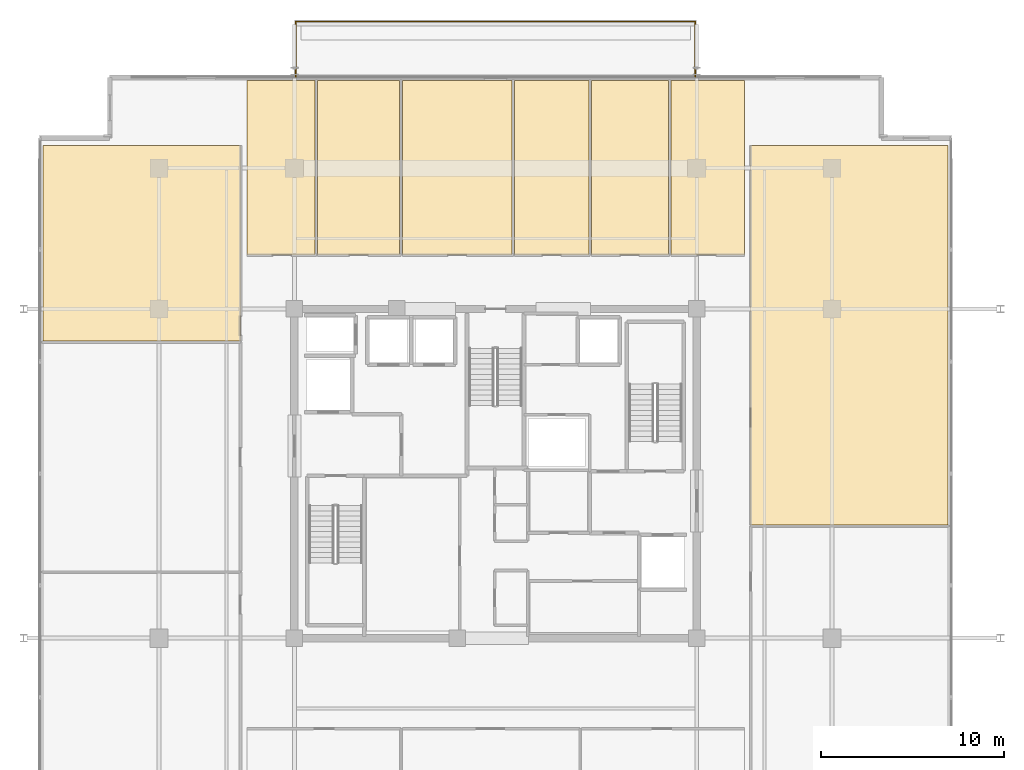
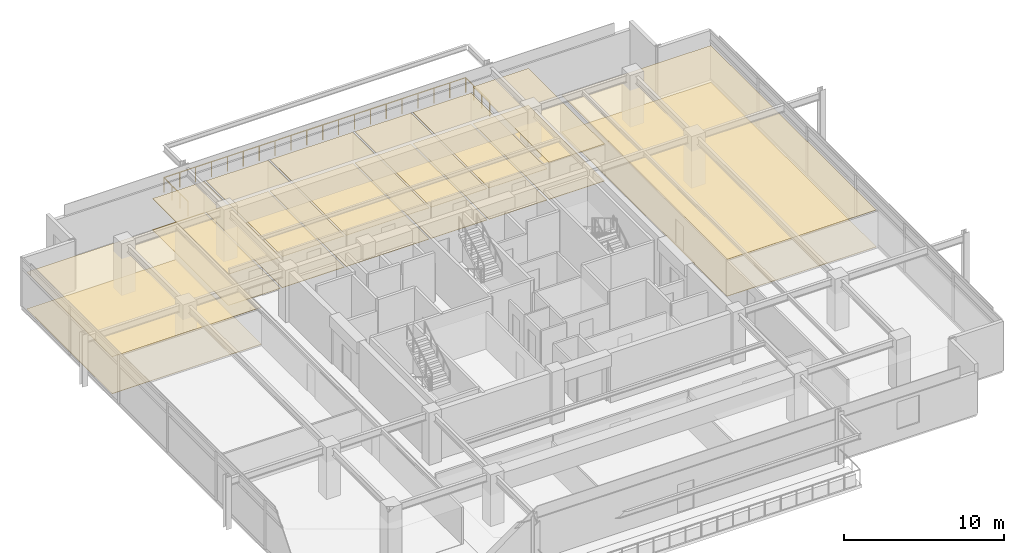
# One storey, part 20 of 20: 16 coverings, 1 railing.
"""IFC4 building model written with IfcOpenShell, lengths in metres."""

from ifc_helpers import new_model, si_unit, direction, frame, origin, origin_2d, place, context, subcontext, project, spatial, polyline, circle, outline, extrude, material, layer, layer_set, type_object, element, save


model = new_model("IFC4")

# Units and contexts
model_context = context("Model", 3, precision=1e-05, world=origin(), true_north=direction((0.0, 1.0)))
body_context = subcontext(model_context, "Body", "Model", "MODEL_VIEW")
ifc_project = project(units=[si_unit("LENGTHUNIT", "METRE"), si_unit("AREAUNIT", "SQUARE_METRE"), si_unit("VOLUMEUNIT", "CUBIC_METRE"), si_unit("PLANEANGLEUNIT", "RADIAN"), si_unit("MASSUNIT", "GRAM", prefix="KILO")], contexts=[model_context])

# Site, building, storey
site_placement = place(None, origin())
site = spatial("IfcSite", under=ifc_project, at=site_placement, CompositionType="ELEMENT")
building_placement = place(site_placement, origin())
building = spatial("IfcBuilding", under=site, at=building_placement, Name="Kovane Verandah Tower", CompositionType="ELEMENT")
storey_placement = place(building_placement, frame((0.0, 0.0, 322.800048828125)))
storey = spatial("IfcBuildingStorey", under=building, at=storey_placement, Name="L75", CompositionType="ELEMENT", Elevation=322.800048828125)

# Coverings
ifc_material_1 = material(Name="Perforated Acoustic Mineral-Fibre Ceiling Tile", Category="gypsum")
ifc_layer_1 = layer(ifc_material_1, 0.02490234375)
ifc_layer_set_1 = layer_set([ifc_layer_1], Name="Perforated Acoustic Mineral-Fibre Ceiling Tile")
covering_type_1 = type_object("IfcCoveringType", Name="CV-CEIL-25", PredefinedType="CEILING", material=ifc_layer_set_1)
covering_1_placement = place(storey_placement, frame((0.0, 0.0, 2.389892578125)))
element("IfcCovering", 1, at=covering_1_placement, inside=storey, type_object=covering_type_1, Name="L75 Meeting Room N1 Acoustic Ceiling", PredefinedType="CEILING", context=body_context, shape_type="SweptSolid", body=[
    extrude(outline(polyline([(26.39990234375, 39.449951171875), (30.137939453125, 39.449951171875), (30.137939453125, 49.0), (26.39990234375, 49.0), (26.39990234375, 39.449951171875)])), origin(), (0.0, 0.0, 1.0), 0.025146484375),
])
covering_2_placement = place(storey_placement, frame((0.0, 0.0, 2.389892578125)))
element("IfcCovering", 2, at=covering_2_placement, inside=storey, type_object=covering_type_1, Name="L75 Focus Studio N2 Acoustic Ceiling", PredefinedType="CEILING", context=body_context, shape_type="SweptSolid", body=[
    extrude(outline(polyline([(30.278076171875, 39.449951171875), (34.761962890625, 39.449951171875), (34.761962890625, 49.0), (30.278076171875, 49.0), (30.278076171875, 39.449951171875)])), origin(), (0.0, 0.0, 1.0), 0.025146484375),
])
covering_3_placement = place(storey_placement, frame((0.0, 0.0, 2.389892578125)))
element("IfcCovering", 3, at=covering_3_placement, inside=storey, type_object=covering_type_1, Name="L75 Breakout Pantry N3 Acoustic Ceiling", PredefinedType="CEILING", context=body_context, shape_type="SweptSolid", body=[
    extrude(outline(polyline([(34.902099609375, 39.449951171875), (40.89990234375, 39.449951171875), (40.89990234375, 49.0), (34.902099609375, 49.0), (34.902099609375, 39.449951171875)])), origin(), (0.0, 0.0, 1.0), 0.025146484375),
])
covering_4_placement = place(storey_placement, frame((0.0, 0.0, 2.389892578125)))
element("IfcCovering", 4, at=covering_4_placement, inside=storey, type_object=covering_type_1, Name="L75 Collaboration Hub N4 Acoustic Ceiling", PredefinedType="CEILING", context=body_context, shape_type="SweptSolid", body=[
    extrude(outline(polyline([(41.0400390625, 39.449951171875), (45.097900390625, 39.449951171875), (45.097900390625, 49.0), (41.0400390625, 49.0), (41.0400390625, 39.449951171875)])), origin(), (0.0, 0.0, 1.0), 0.025146484375),
])
covering_5_placement = place(storey_placement, frame((0.0, 0.0, 2.389892578125)))
element("IfcCovering", 5, at=covering_5_placement, inside=storey, type_object=covering_type_1, Name="L75 Document and Print Room N5 Acoustic Ceiling", PredefinedType="CEILING", context=body_context, shape_type="SweptSolid", body=[
    extrude(outline(polyline([(45.238037109375, 39.449951171875), (49.449951171875, 39.449951171875), (49.449951171875, 49.0), (45.238037109375, 49.0), (45.238037109375, 39.449951171875)])), origin(), (0.0, 0.0, 1.0), 0.025146484375),
])
covering_6_placement = place(storey_placement, frame((0.0, 0.0, 2.824951171875)))
element("IfcCovering", 6, at=covering_6_placement, inside=storey, type_object=covering_type_1, Name="L75 Open Plan Office N6 Acoustic Ceiling", PredefinedType="CEILING", context=body_context, shape_type="SweptSolid", body=[
    extrude(outline(polyline([(49.590087890625, 39.449951171875), (53.60009765625, 39.449951171875), (53.60009765625, 49.0), (49.590087890625, 49.0), (49.590087890625, 39.449951171875)])), origin(), (0.0, 0.0, 1.0), 0.02490234375),
])
covering_7_placement = place(storey_placement, frame((0.0, 0.0, 2.824951171875)))
element("IfcCovering", 7, at=covering_7_placement, inside=storey, type_object=covering_type_1, Name="L75 Collaboration Hub W3 Acoustic Ceiling", PredefinedType="CEILING", context=body_context, shape_type="SweptSolid", body=[
    extrude(outline(polyline([(15.25, 34.75), (26.050048828125, 34.75), (26.050048828125, 45.449951171875), (15.25, 45.449951171875), (15.25, 34.75)])), origin(), (0.0, 0.0, 1.0), 0.02490234375),
])
covering_8_placement = place(storey_placement, frame((0.0, 0.0, 2.824951171875)))
element("IfcCovering", 8, at=covering_8_placement, inside=storey, type_object=covering_type_1, Name="L75 Open Plan Office E2 Acoustic Ceiling", PredefinedType="CEILING", context=body_context, shape_type="SweptSolid", body=[
    extrude(outline(polyline([(53.949951171875, 24.697998046875), (64.75, 24.697998046875), (64.75, 45.449951171875), (53.949951171875, 45.449951171875), (53.949951171875, 24.697998046875)])), origin(), (0.0, 0.0, 1.0), 0.02490234375),
])
ifc_material_2 = material(Name="Polished Terrazzo and Raised-Access Carpet Tile Finish", Category="concrete")
ifc_layer_2 = layer(ifc_material_2, 0.030029296875)
ifc_layer_set_2 = layer_set([ifc_layer_2], Name="Polished Terrazzo and Raised-Access Carpet Tile Finish")
covering_type_2 = type_object("IfcCoveringType", Name="CV-FLOR-30", PredefinedType="FLOORING", material=ifc_layer_set_2)
covering_9_placement = place(storey_placement, origin())
element("IfcCovering", 9, at=covering_9_placement, inside=storey, type_object=covering_type_2, Name="L75 Meeting Room N1 Floor Finish", PredefinedType="FLOORING", context=body_context, shape_type="SweptSolid", body=[
    extrude(outline(polyline([(26.39990234375, 39.449951171875), (30.137939453125, 39.449951171875), (30.137939453125, 49.0), (26.39990234375, 49.0), (26.39990234375, 39.449951171875)])), origin(), (0.0, 0.0, 1.0), 0.030029296875),
])
covering_10_placement = place(storey_placement, origin())
element("IfcCovering", 10, at=covering_10_placement, inside=storey, type_object=covering_type_2, Name="L75 Focus Studio N2 Floor Finish", PredefinedType="FLOORING", context=body_context, shape_type="SweptSolid", body=[
    extrude(outline(polyline([(30.278076171875, 39.449951171875), (34.761962890625, 39.449951171875), (34.761962890625, 49.0), (30.278076171875, 49.0), (30.278076171875, 39.449951171875)])), origin(), (0.0, 0.0, 1.0), 0.030029296875),
])
covering_11_placement = place(storey_placement, origin())
element("IfcCovering", 11, at=covering_11_placement, inside=storey, type_object=covering_type_2, Name="L75 Breakout Pantry N3 Floor Finish", PredefinedType="FLOORING", context=body_context, shape_type="SweptSolid", body=[
    extrude(outline(polyline([(34.902099609375, 39.449951171875), (40.89990234375, 39.449951171875), (40.89990234375, 49.0), (34.902099609375, 49.0), (34.902099609375, 39.449951171875)])), origin(), (0.0, 0.0, 1.0), 0.030029296875),
])
covering_12_placement = place(storey_placement, origin())
element("IfcCovering", 12, at=covering_12_placement, inside=storey, type_object=covering_type_2, Name="L75 Collaboration Hub N4 Floor Finish", PredefinedType="FLOORING", context=body_context, shape_type="SweptSolid", body=[
    extrude(outline(polyline([(41.0400390625, 39.449951171875), (45.097900390625, 39.449951171875), (45.097900390625, 49.0), (41.0400390625, 49.0), (41.0400390625, 39.449951171875)])), origin(), (0.0, 0.0, 1.0), 0.030029296875),
])
covering_13_placement = place(storey_placement, origin())
element("IfcCovering", 13, at=covering_13_placement, inside=storey, type_object=covering_type_2, Name="L75 Document and Print Room N5 Floor Finish", PredefinedType="FLOORING", context=body_context, shape_type="SweptSolid", body=[
    extrude(outline(polyline([(45.238037109375, 39.449951171875), (49.449951171875, 39.449951171875), (49.449951171875, 49.0), (45.238037109375, 49.0), (45.238037109375, 39.449951171875)])), origin(), (0.0, 0.0, 1.0), 0.030029296875),
])
covering_14_placement = place(storey_placement, origin())
element("IfcCovering", 14, at=covering_14_placement, inside=storey, type_object=covering_type_2, Name="L75 Open Plan Office N6 Floor Finish", PredefinedType="FLOORING", context=body_context, shape_type="SweptSolid", body=[
    extrude(outline(polyline([(49.590087890625, 39.449951171875), (53.60009765625, 39.449951171875), (53.60009765625, 49.0), (49.590087890625, 49.0), (49.590087890625, 39.449951171875)])), origin(), (0.0, 0.0, 1.0), 0.030029296875),
])
covering_15_placement = place(storey_placement, origin())
element("IfcCovering", 15, at=covering_15_placement, inside=storey, type_object=covering_type_2, Name="L75 Collaboration Hub W3 Floor Finish", PredefinedType="FLOORING", context=body_context, shape_type="SweptSolid", body=[
    extrude(outline(polyline([(15.25, 34.75), (26.050048828125, 34.75), (26.050048828125, 45.449951171875), (15.25, 45.449951171875), (15.25, 34.75)])), origin(), (0.0, 0.0, 1.0), 0.030029296875),
])
covering_16_placement = place(storey_placement, origin())
element("IfcCovering", 16, at=covering_16_placement, inside=storey, type_object=covering_type_2, Name="L75 Open Plan Office E2 Floor Finish", PredefinedType="FLOORING", context=body_context, shape_type="SweptSolid", body=[
    extrude(outline(polyline([(53.949951171875, 24.697998046875), (64.75, 24.697998046875), (64.75, 45.449951171875), (53.949951171875, 45.449951171875), (53.949951171875, 24.697998046875)])), origin(), (0.0, 0.0, 1.0), 0.030029296875),
])

# Railing
ifc_material_3 = material(Name="Laminated Glass and Pale-Champagne Stainless Balustrade", Category="glass")
railing_type = type_object("IfcRailingType", Name="RL-BAL-1150", PredefinedType="BALUSTRADE", material=ifc_material_3)
railing_placement = place(storey_placement, frame((29.080078125, 49.199951171875, 0.0)))
element("IfcRailing", 17, at=railing_placement, inside=storey, type_object=railing_type, Name="L75 N Verandah Glass Balustrade", PredefinedType="BALUSTRADE", context=body_context, shape_type="SweptSolid", body=[
    extrude(circle(Radius=0.02392578125, at=origin_2d()), frame((0.0, 0.0, 1.1259765625), z_axis=(0.0, 1.0, 0.0), x_axis=(-1.0, 0.0, 0.0)), (0.0, 0.0, 1.0), 3.02001953125),
    extrude(circle(Radius=0.02392578125, at=origin_2d()), frame((0.0, 3.02001953125, 1.1259765625), z_axis=(1.0, 0.0, 0.0), x_axis=(0.0, 1.0, 0.0)), (0.0, 0.0, 1.0), 21.83984375),
    extrude(circle(Radius=0.02392578125, at=origin_2d()), frame((21.83984375, 3.02001953125, 1.1259765625), z_axis=(0.0, -1.0, 0.0), x_axis=(1.0, 0.0, 0.0)), (0.0, 0.0, 1.0), 3.02001953125),
    extrude(circle(Radius=0.02099609375, at=origin_2d()), origin(), (0.0, 0.0, 1.0), 1.101806640625),
    extrude(circle(Radius=0.02099609375, at=origin_2d()), frame((0.0, 1.006591796875, 0.0)), (0.0, 0.0, 1.0), 1.101806640625),
    extrude(circle(Radius=0.02099609375, at=origin_2d()), frame((0.0, 2.013427734375, 0.0)), (0.0, 0.0, 1.0), 1.101806640625),
    extrude(circle(Radius=0.02099609375, at=origin_2d()), frame((0.0, 3.02001953125, 0.0)), (0.0, 0.0, 1.0), 1.101806640625),
    extrude(circle(Radius=0.02099609375, at=origin_2d()), frame((1.1494140625, 3.02001953125, 0.0)), (0.0, 0.0, 1.0), 1.101806640625),
    extrude(circle(Radius=0.02099609375, at=origin_2d()), frame((2.298828125, 3.02001953125, 0.0)), (0.0, 0.0, 1.0), 1.101806640625),
    extrude(circle(Radius=0.02099609375, at=origin_2d()), frame((3.448486328125, 3.02001953125, 0.0)), (0.0, 0.0, 1.0), 1.101806640625),
    extrude(circle(Radius=0.02099609375, at=origin_2d()), frame((4.597900390625, 3.02001953125, 0.0)), (0.0, 0.0, 1.0), 1.101806640625),
    extrude(circle(Radius=0.02099609375, at=origin_2d()), frame((5.747314453125, 3.02001953125, 0.0)), (0.0, 0.0, 1.0), 1.101806640625),
    extrude(circle(Radius=0.02099609375, at=origin_2d()), frame((6.896728515625, 3.02001953125, 0.0)), (0.0, 0.0, 1.0), 1.101806640625),
    extrude(circle(Radius=0.02099609375, at=origin_2d()), frame((8.046142578125, 3.02001953125, 0.0)), (0.0, 0.0, 1.0), 1.101806640625),
    extrude(circle(Radius=0.02099609375, at=origin_2d()), frame((9.19580078125, 3.02001953125, 0.0)), (0.0, 0.0, 1.0), 1.101806640625),
    extrude(circle(Radius=0.02099609375, at=origin_2d()), frame((10.34521484375, 3.02001953125, 0.0)), (0.0, 0.0, 1.0), 1.101806640625),
    extrude(circle(Radius=0.02099609375, at=origin_2d()), frame((11.49462890625, 3.02001953125, 0.0)), (0.0, 0.0, 1.0), 1.101806640625),
    extrude(circle(Radius=0.02099609375, at=origin_2d()), frame((12.64404296875, 3.02001953125, 0.0)), (0.0, 0.0, 1.0), 1.101806640625),
    extrude(circle(Radius=0.02099609375, at=origin_2d()), frame((13.793701171875, 3.02001953125, 0.0)), (0.0, 0.0, 1.0), 1.101806640625),
    extrude(circle(Radius=0.02099609375, at=origin_2d()), frame((14.943115234375, 3.02001953125, 0.0)), (0.0, 0.0, 1.0), 1.101806640625),
    extrude(circle(Radius=0.02099609375, at=origin_2d()), frame((16.092529296875, 3.02001953125, 0.0)), (0.0, 0.0, 1.0), 1.101806640625),
    extrude(circle(Radius=0.02099609375, at=origin_2d()), frame((17.241943359375, 3.02001953125, 0.0)), (0.0, 0.0, 1.0), 1.101806640625),
    extrude(circle(Radius=0.02099609375, at=origin_2d()), frame((18.391357421875, 3.02001953125, 0.0)), (0.0, 0.0, 1.0), 1.101806640625),
    extrude(circle(Radius=0.02099609375, at=origin_2d()), frame((19.541015625, 3.02001953125, 0.0)), (0.0, 0.0, 1.0), 1.101806640625),
    extrude(circle(Radius=0.02099609375, at=origin_2d()), frame((20.6904296875, 3.02001953125, 0.0)), (0.0, 0.0, 1.0), 1.101806640625),
    extrude(circle(Radius=0.02099609375, at=origin_2d()), frame((21.83984375, 3.02001953125, 0.0)), (0.0, 0.0, 1.0), 1.101806640625),
    extrude(circle(Radius=0.02099609375, at=origin_2d()), frame((21.83984375, 2.013427734375, 0.0)), (0.0, 0.0, 1.0), 1.101806640625),
    extrude(circle(Radius=0.02099609375, at=origin_2d()), frame((21.83984375, 1.006591796875, 0.0)), (0.0, 0.0, 1.0), 1.101806640625),
    extrude(circle(Radius=0.02099609375, at=origin_2d()), frame((21.83984375, 0.0, 0.0)), (0.0, 0.0, 1.0), 1.101806640625),
])

save(model, "model.ifc")
